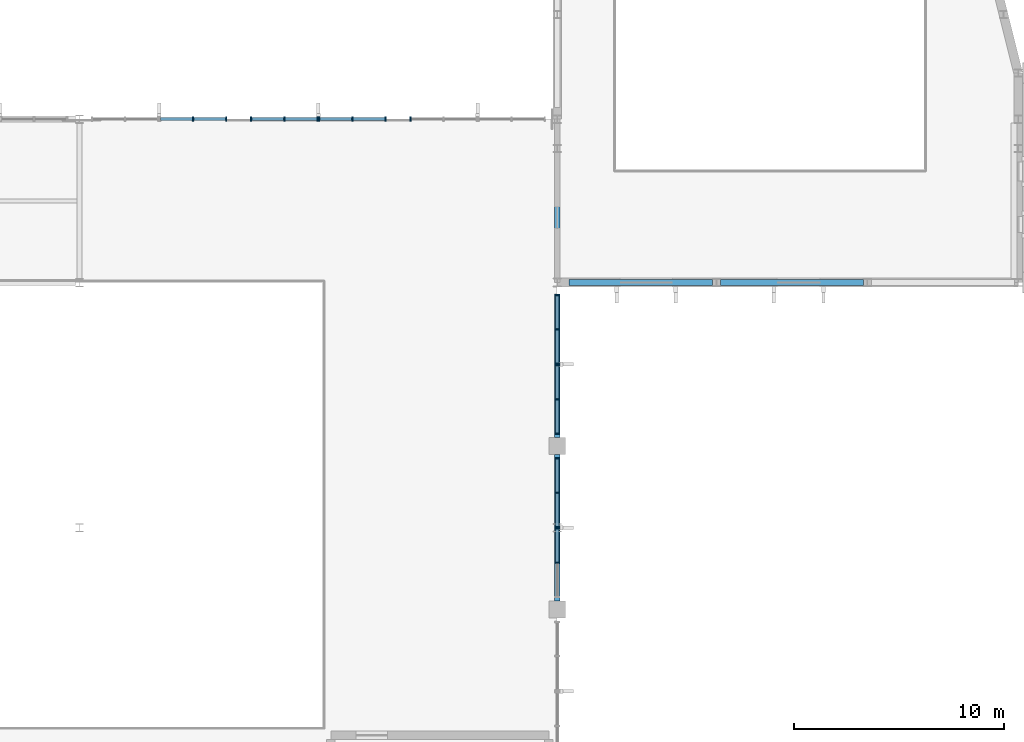
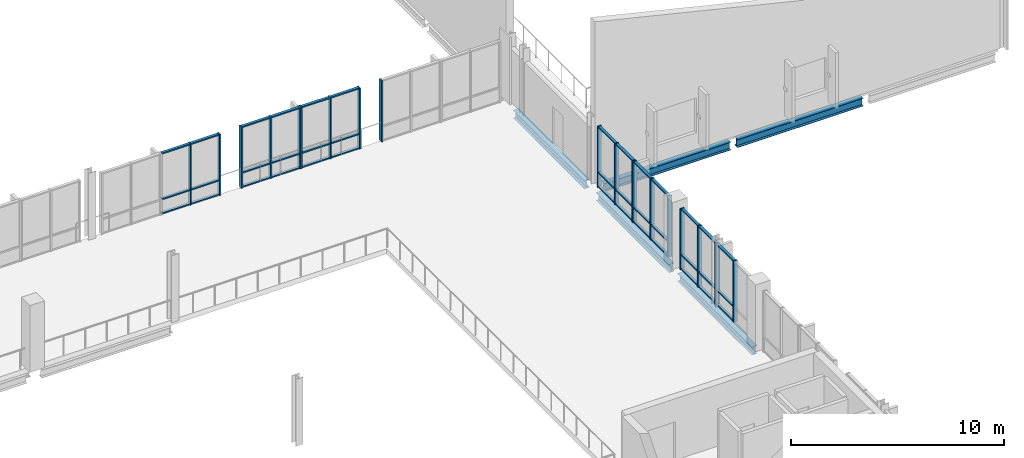
# One storey, part 27 of 64: 59 members, 5 beams, 8 elements without a shape of their own.
"""IFC4 building model written with IfcOpenShell, lengths in metres."""

from ifc_helpers import new_model, si_unit, direction, frame, origin, origin_2d, place, context, subcontext, project, spatial, rectangle, i_section, extrude, material, material_profile, profile_set, type_object, element, aggregate, save


model = new_model("IFC4")

# Units and contexts
model_context = context("Model", 3, precision=1e-05, world=origin(), true_north=direction((0.0, 1.0)))
body_context = subcontext(model_context, "Body", "Model", "MODEL_VIEW")
ifc_project = project(units=[si_unit("LENGTHUNIT", "METRE"), si_unit("AREAUNIT", "SQUARE_METRE"), si_unit("VOLUMEUNIT", "CUBIC_METRE"), si_unit("PLANEANGLEUNIT", "RADIAN"), si_unit("MASSUNIT", "GRAM", prefix="KILO")], contexts=[model_context])

# Site, building, storey
site_placement = place(None, origin())
site = spatial("IfcSite", under=ifc_project, at=site_placement, CompositionType="ELEMENT")
building_placement = place(site_placement, origin())
building = spatial("IfcBuilding", under=site, at=building_placement, Name="Vervanel Yard Central Library", CompositionType="ELEMENT")
storey_placement = place(building_placement, frame((0.0, 0.0, 8.93994140625)))
storey = spatial("IfcBuildingStorey", under=building, at=storey_placement, Name="L02", CompositionType="ELEMENT", Elevation=8.93994140625)

# Curtain wall, members
ifc_material_1 = material(Name="Thermally broken anodized aluminium 6063-T6", Category="aluminium")
curtain_wall_type_1 = type_object("IfcCurtainWallType", Name="Reading Hall Full-Height Curtain Wall", PredefinedType="NOTDEFINED", material=ifc_material_1)
curtain_wall_1_placement = place(storey_placement, origin())
curtain_wall_1 = element("IfcCurtainWall", 1, at=curtain_wall_1_placement, inside=storey, type_object=curtain_wall_type_1, Name="L02 Reading Hall Full-Height Curtain Wall CWR-L02-103", PredefinedType="NOTDEFINED")
ifc_material_profile_1 = material_profile(ifc_material_1, rectangle(XDim=0.070068359375, YDim=0.219970703125, at=origin_2d()), Name="ALU 70x220", Category="aluminium")
ifc_profile_set_1 = profile_set([ifc_material_profile_1], Name="Thermally broken anodized aluminium 6063-T6")
member_type_1 = type_object("IfcMemberType", Name="Reading Hall Deep Mullion 70x220", PredefinedType="MULLION", material=ifc_profile_set_1)
member_1_placement = place(storey_placement, frame((128.6201171875, 82.199951171875, 0.0), z_axis=(0.0, 0.0, 1.0), x_axis=(1.0, 0.0, 0.0)))
member_1 = element("IfcMember", 2, at=member_1_placement, type_object=member_type_1, Name="CWR-L02-103 Mullion 2", PredefinedType="MULLION", context=body_context, shape_type="SweptSolid", body=[
    extrude(rectangle(XDim=0.070068359375, YDim=0.219970703125, at=origin_2d()), origin(), (0.0, 0.0, 1.0), 3.510009765625),
])
member_2_placement = place(storey_placement, frame((130.205078125, 82.199951171875, 0.0), z_axis=(0.0, 0.0, 1.0), x_axis=(1.0, 0.0, 0.0)))
member_2 = element("IfcMember", 3, at=member_2_placement, type_object=member_type_1, Name="CWR-L02-103 Mullion 3", PredefinedType="MULLION", context=body_context, shape_type="SweptSolid", body=[
    extrude(rectangle(XDim=0.070068359375, YDim=0.219970703125, at=origin_2d()), origin(), (0.0, 0.0, 1.0), 3.510009765625),
])

curtain_wall_2_placement = place(storey_placement, origin())
curtain_wall_2 = element("IfcCurtainWall", 4, at=curtain_wall_2_placement, inside=storey, type_object=curtain_wall_type_1, Name="L02 Reading Hall Full-Height Curtain Wall CWR-L02-104", PredefinedType="NOTDEFINED")
member_3_placement = place(storey_placement, frame((131.39501953125, 82.199951171875, 0.0), z_axis=(0.0, 0.0, 1.0), x_axis=(1.0, 0.0, 0.0)))
member_3 = element("IfcMember", 5, at=member_3_placement, type_object=member_type_1, Name="CWR-L02-104 Mullion 1", PredefinedType="MULLION", context=body_context, shape_type="SweptSolid", body=[
    extrude(rectangle(XDim=0.070068359375, YDim=0.219970703125, at=origin_2d()), origin(), (0.0, 0.0, 1.0), 3.510009765625),
])
member_4_placement = place(storey_placement, frame((132.97998046875, 82.199951171875, 0.0), z_axis=(0.0, 0.0, 1.0), x_axis=(1.0, 0.0, 0.0)))
member_4 = element("IfcMember", 6, at=member_4_placement, type_object=member_type_1, Name="CWR-L02-104 Mullion 2", PredefinedType="MULLION", context=body_context, shape_type="SweptSolid", body=[
    extrude(rectangle(XDim=0.070068359375, YDim=0.219970703125, at=origin_2d()), origin(), (0.0, 0.0, 1.0), 3.510009765625),
])
member_5_placement = place(storey_placement, frame((134.56494140625, 82.199951171875, 0.0), z_axis=(0.0, 0.0, 1.0), x_axis=(1.0, 0.0, 0.0)))
member_5 = element("IfcMember", 7, at=member_5_placement, type_object=member_type_1, Name="CWR-L02-104 Mullion 3", PredefinedType="MULLION", context=body_context, shape_type="SweptSolid", body=[
    extrude(rectangle(XDim=0.070068359375, YDim=0.219970703125, at=origin_2d()), origin(), (0.0, 0.0, 1.0), 3.510009765625),
])

curtain_wall_3_placement = place(storey_placement, origin())
curtain_wall_3 = element("IfcCurtainWall", 8, at=curtain_wall_3_placement, inside=storey, type_object=curtain_wall_type_1, Name="L02 Reading Hall Full-Height Curtain Wall CWR-L02-105", PredefinedType="NOTDEFINED")
member_6_placement = place(storey_placement, frame((134.635009765625, 82.199951171875, 0.0), z_axis=(0.0, 0.0, 1.0), x_axis=(1.0, 0.0, 0.0)))
member_6 = element("IfcMember", 9, at=member_6_placement, type_object=member_type_1, Name="CWR-L02-105 Mullion 1", PredefinedType="MULLION", context=body_context, shape_type="SweptSolid", body=[
    extrude(rectangle(XDim=0.070068359375, YDim=0.219970703125, at=origin_2d()), origin(), (0.0, 0.0, 1.0), 3.510009765625),
])
member_7_placement = place(storey_placement, frame((136.219970703125, 82.199951171875, 0.0), z_axis=(0.0, 0.0, 1.0), x_axis=(1.0, 0.0, 0.0)))
member_7 = element("IfcMember", 10, at=member_7_placement, type_object=member_type_1, Name="CWR-L02-105 Mullion 2", PredefinedType="MULLION", context=body_context, shape_type="SweptSolid", body=[
    extrude(rectangle(XDim=0.070068359375, YDim=0.219970703125, at=origin_2d()), origin(), (0.0, 0.0, 1.0), 3.510009765625),
])
member_8_placement = place(storey_placement, frame((137.804931640625, 82.199951171875, 0.0), z_axis=(0.0, 0.0, 1.0), x_axis=(1.0, 0.0, 0.0)))
member_8 = element("IfcMember", 11, at=member_8_placement, type_object=member_type_1, Name="CWR-L02-105 Mullion 3", PredefinedType="MULLION", context=body_context, shape_type="SweptSolid", body=[
    extrude(rectangle(XDim=0.070068359375, YDim=0.219970703125, at=origin_2d()), origin(), (0.0, 0.0, 1.0), 3.510009765625),
])

# Curtain wall, member
curtain_wall_4_placement = place(storey_placement, origin())
curtain_wall_4 = element("IfcCurtainWall", 12, at=curtain_wall_4_placement, inside=storey, type_object=curtain_wall_type_1, Name="L02 Reading Hall Full-Height Curtain Wall CWR-L02-106", PredefinedType="NOTDEFINED")
member_9_placement = place(storey_placement, frame((138.9951171875, 82.199951171875, 0.0), z_axis=(0.0, 0.0, 1.0), x_axis=(1.0, 0.0, 0.0)))
member_9 = element("IfcMember", 13, at=member_9_placement, type_object=member_type_1, Name="CWR-L02-106 Mullion 1", PredefinedType="MULLION", context=body_context, shape_type="SweptSolid", body=[
    extrude(rectangle(XDim=0.070068359375, YDim=0.219970703125, at=origin_2d()), origin(), (0.0, 0.0, 1.0), 3.510009765625),
])
aggregate(curtain_wall_4, [member_9])

# Curtain wall, members
curtain_wall_type_2 = type_object("IfcCurtainWallType", Name="Prow Cantilever Glazed Curtain Wall", PredefinedType="NOTDEFINED", material=ifc_material_1)
curtain_wall_5_placement = place(storey_placement, origin())
curtain_wall_5 = element("IfcCurtainWall", 14, at=curtain_wall_5_placement, inside=storey, type_object=curtain_wall_type_2, Name="L02 Prow Cantilever Glazed Curtain Wall CWR-L02-136", PredefinedType="NOTDEFINED")
member_10_placement = place(storey_placement, frame((146.0, 61.030029296875, 0.0), z_axis=(0.0, 0.0, 1.0), x_axis=(0.0, 1.0, 0.0)))
member_10 = element("IfcMember", 15, at=member_10_placement, type_object=member_type_1, Name="CWR-L02-136 Mullion 2", PredefinedType="MULLION", context=body_context, shape_type="SweptSolid", body=[
    extrude(rectangle(XDim=0.070068359375, YDim=0.219970703125, at=origin_2d()), origin(), (0.0, 0.0, 1.0), 3.510009765625),
])
member_11_placement = place(storey_placement, frame((146.0, 62.6650390625, 0.0), z_axis=(0.0, 0.0, 1.0), x_axis=(0.0, 1.0, 0.0)))
member_11 = element("IfcMember", 16, at=member_11_placement, type_object=member_type_1, Name="CWR-L02-136 Mullion 3", PredefinedType="MULLION", context=body_context, shape_type="SweptSolid", body=[
    extrude(rectangle(XDim=0.070068359375, YDim=0.219970703125, at=origin_2d()), origin(), (0.0, 0.0, 1.0), 3.510009765625),
])

curtain_wall_6_placement = place(storey_placement, origin())
curtain_wall_6 = element("IfcCurtainWall", 17, at=curtain_wall_6_placement, inside=storey, type_object=curtain_wall_type_2, Name="L02 Prow Cantilever Glazed Curtain Wall CWR-L02-137", PredefinedType="NOTDEFINED")
member_12_placement = place(storey_placement, frame((146.0, 62.735107421875, 0.0), z_axis=(0.0, 0.0, 1.0), x_axis=(0.0, 1.0, 0.0)))
member_12 = element("IfcMember", 18, at=member_12_placement, type_object=member_type_1, Name="CWR-L02-137 Mullion 1", PredefinedType="MULLION", context=body_context, shape_type="SweptSolid", body=[
    extrude(rectangle(XDim=0.070068359375, YDim=0.219970703125, at=origin_2d()), origin(), (0.0, 0.0, 1.0), 3.510009765625),
])
member_13_placement = place(storey_placement, frame((146.0, 64.3701171875, 0.0), z_axis=(0.0, 0.0, 1.0), x_axis=(0.0, 1.0, 0.0)))
member_13 = element("IfcMember", 19, at=member_13_placement, type_object=member_type_1, Name="CWR-L02-137 Mullion 2", PredefinedType="MULLION", context=body_context, shape_type="SweptSolid", body=[
    extrude(rectangle(XDim=0.070068359375, YDim=0.219970703125, at=origin_2d()), origin(), (0.0, 0.0, 1.0), 3.510009765625),
])
member_14_placement = place(storey_placement, frame((146.0, 66.0048828125, 0.0), z_axis=(0.0, 0.0, 1.0), x_axis=(0.0, 1.0, 0.0)))
member_14 = element("IfcMember", 20, at=member_14_placement, type_object=member_type_1, Name="CWR-L02-137 Mullion 3", PredefinedType="MULLION", context=body_context, shape_type="SweptSolid", body=[
    extrude(rectangle(XDim=0.070068359375, YDim=0.219970703125, at=origin_2d()), origin(), (0.0, 0.0, 1.0), 3.510009765625),
])

curtain_wall_7_placement = place(storey_placement, origin())
curtain_wall_7 = element("IfcCurtainWall", 21, at=curtain_wall_7_placement, inside=storey, type_object=curtain_wall_type_2, Name="L02 Prow Cantilever Glazed Curtain Wall CWR-L02-138", PredefinedType="NOTDEFINED")
member_15_placement = place(storey_placement, frame((146.0, 67.195068359375, 0.0), z_axis=(0.0, 0.0, 1.0), x_axis=(0.0, 1.0, 0.0)))
member_15 = element("IfcMember", 22, at=member_15_placement, type_object=member_type_1, Name="CWR-L02-138 Mullion 1", PredefinedType="MULLION", context=body_context, shape_type="SweptSolid", body=[
    extrude(rectangle(XDim=0.070068359375, YDim=0.219970703125, at=origin_2d()), origin(), (0.0, 0.0, 1.0), 3.510009765625),
])
member_16_placement = place(storey_placement, frame((146.0, 68.830078125, 0.0), z_axis=(0.0, 0.0, 1.0), x_axis=(0.0, 1.0, 0.0)))
member_16 = element("IfcMember", 23, at=member_16_placement, type_object=member_type_1, Name="CWR-L02-138 Mullion 2", PredefinedType="MULLION", context=body_context, shape_type="SweptSolid", body=[
    extrude(rectangle(XDim=0.070068359375, YDim=0.219970703125, at=origin_2d()), origin(), (0.0, 0.0, 1.0), 3.510009765625),
])
member_17_placement = place(storey_placement, frame((146.0, 70.465087890625, 0.0), z_axis=(0.0, 0.0, 1.0), x_axis=(0.0, 1.0, 0.0)))
member_17 = element("IfcMember", 24, at=member_17_placement, type_object=member_type_1, Name="CWR-L02-138 Mullion 3", PredefinedType="MULLION", context=body_context, shape_type="SweptSolid", body=[
    extrude(rectangle(XDim=0.070068359375, YDim=0.219970703125, at=origin_2d()), origin(), (0.0, 0.0, 1.0), 3.510009765625),
])

curtain_wall_8_placement = place(storey_placement, origin())
curtain_wall_8 = element("IfcCurtainWall", 25, at=curtain_wall_8_placement, inside=storey, type_object=curtain_wall_type_2, Name="L02 Prow Cantilever Glazed Curtain Wall CWR-L02-139", PredefinedType="NOTDEFINED")
member_18_placement = place(storey_placement, frame((146.0, 70.534912109375, 0.0), z_axis=(0.0, 0.0, 1.0), x_axis=(0.0, 1.0, 0.0)))
member_18 = element("IfcMember", 26, at=member_18_placement, type_object=member_type_1, Name="CWR-L02-139 Mullion 1", PredefinedType="MULLION", context=body_context, shape_type="SweptSolid", body=[
    extrude(rectangle(XDim=0.070068359375, YDim=0.219970703125, at=origin_2d()), origin(), (0.0, 0.0, 1.0), 3.510009765625),
])
member_19_placement = place(storey_placement, frame((146.0, 72.169921875, 0.0), z_axis=(0.0, 0.0, 1.0), x_axis=(0.0, 1.0, 0.0)))
member_19 = element("IfcMember", 27, at=member_19_placement, type_object=member_type_1, Name="CWR-L02-139 Mullion 2", PredefinedType="MULLION", context=body_context, shape_type="SweptSolid", body=[
    extrude(rectangle(XDim=0.070068359375, YDim=0.219970703125, at=origin_2d()), origin(), (0.0, 0.0, 1.0), 3.510009765625),
])
member_20_placement = place(storey_placement, frame((146.0, 73.804931640625, 0.0), z_axis=(0.0, 0.0, 1.0), x_axis=(0.0, 1.0, 0.0)))
member_20 = element("IfcMember", 28, at=member_20_placement, type_object=member_type_1, Name="CWR-L02-139 Mullion 3", PredefinedType="MULLION", context=body_context, shape_type="SweptSolid", body=[
    extrude(rectangle(XDim=0.070068359375, YDim=0.219970703125, at=origin_2d()), origin(), (0.0, 0.0, 1.0), 3.510009765625),
])

# Member
ifc_material_profile_2 = material_profile(ifc_material_1, rectangle(XDim=0.070068359375, YDim=0.14990234375, at=origin_2d()), Name="ALU 70x150", Category="aluminium")
ifc_profile_set_2 = profile_set([ifc_material_profile_2], Name="Thermally broken anodized aluminium 6063-T6")
member_type_2 = type_object("IfcMemberType", Name="Reading Hall Deep Transom 70x150", PredefinedType="NOTDEFINED", material=ifc_profile_set_2)
member_21_placement = place(storey_placement, frame((127.070068359375, 82.199951171875, 0.03515625), z_axis=(1.0, 0.0, 0.0), x_axis=(0.0, 0.0, 1.0)))
member_21 = element("IfcMember", 29, at=member_21_placement, type_object=member_type_2, Name="CWR-L02-103 Transom B1-T1", ObjectType="TRANSOM", PredefinedType="USERDEFINED", context=body_context, shape_type="SweptSolid", body=[
    extrude(rectangle(XDim=0.070068359375, YDim=0.14990234375, at=origin_2d()), origin(), (0.0, 0.0, 1.0), 1.514892578125),
])

member_22_placement = place(storey_placement, frame((127.070068359375, 82.199951171875, 0.85009765625), z_axis=(1.0, 0.0, 0.0), x_axis=(0.0, 0.0, 1.0)))
member_22 = element("IfcMember", 30, at=member_22_placement, type_object=member_type_2, Name="CWR-L02-103 Transom B1-T2", ObjectType="TRANSOM", PredefinedType="USERDEFINED", context=body_context, shape_type="SweptSolid", body=[
    extrude(rectangle(XDim=0.070068359375, YDim=0.14990234375, at=origin_2d()), origin(), (0.0, 0.0, 1.0), 1.514892578125),
])

member_23_placement = place(storey_placement, frame((127.070068359375, 82.199951171875, 3.47509765625), z_axis=(1.0, 0.0, 0.0), x_axis=(0.0, 0.0, 1.0)))
member_23 = element("IfcMember", 31, at=member_23_placement, type_object=member_type_2, Name="CWR-L02-103 Transom B1-T3", ObjectType="TRANSOM", PredefinedType="USERDEFINED", context=body_context, shape_type="SweptSolid", body=[
    extrude(rectangle(XDim=0.070068359375, YDim=0.14990234375, at=origin_2d()), origin(), (0.0, 0.0, 1.0), 1.514892578125),
])

member_24_placement = place(storey_placement, frame((128.655029296875, 82.199951171875, 0.03515625), z_axis=(1.0, 0.0, 0.0), x_axis=(0.0, 0.0, 1.0)))
member_24 = element("IfcMember", 32, at=member_24_placement, type_object=member_type_2, Name="CWR-L02-103 Transom B2-T1", ObjectType="TRANSOM", PredefinedType="USERDEFINED", context=body_context, shape_type="SweptSolid", body=[
    extrude(rectangle(XDim=0.070068359375, YDim=0.14990234375, at=origin_2d()), origin(), (0.0, 0.0, 1.0), 1.514892578125),
])

member_25_placement = place(storey_placement, frame((128.655029296875, 82.199951171875, 0.85009765625), z_axis=(1.0, 0.0, 0.0), x_axis=(0.0, 0.0, 1.0)))
member_25 = element("IfcMember", 33, at=member_25_placement, type_object=member_type_2, Name="CWR-L02-103 Transom B2-T2", ObjectType="TRANSOM", PredefinedType="USERDEFINED", context=body_context, shape_type="SweptSolid", body=[
    extrude(rectangle(XDim=0.070068359375, YDim=0.14990234375, at=origin_2d()), origin(), (0.0, 0.0, 1.0), 1.514892578125),
])

member_26_placement = place(storey_placement, frame((128.655029296875, 82.199951171875, 3.47509765625), z_axis=(1.0, 0.0, 0.0), x_axis=(0.0, 0.0, 1.0)))
member_26 = element("IfcMember", 34, at=member_26_placement, type_object=member_type_2, Name="CWR-L02-103 Transom B2-T3", ObjectType="TRANSOM", PredefinedType="USERDEFINED", context=body_context, shape_type="SweptSolid", body=[
    extrude(rectangle(XDim=0.070068359375, YDim=0.14990234375, at=origin_2d()), origin(), (0.0, 0.0, 1.0), 1.514892578125),
])

aggregate(curtain_wall_1, [member_1, member_2, member_21, member_22, member_23, member_24, member_25, member_26])

member_27_placement = place(storey_placement, frame((131.429931640625, 82.199951171875, 0.03515625), z_axis=(1.0, 0.0, 0.0), x_axis=(0.0, 0.0, 1.0)))
member_27 = element("IfcMember", 35, at=member_27_placement, type_object=member_type_2, Name="CWR-L02-104 Transom B1-T1", ObjectType="TRANSOM", PredefinedType="USERDEFINED", context=body_context, shape_type="SweptSolid", body=[
    extrude(rectangle(XDim=0.070068359375, YDim=0.14990234375, at=origin_2d()), origin(), (0.0, 0.0, 1.0), 1.51513671875),
])

member_28_placement = place(storey_placement, frame((131.429931640625, 82.199951171875, 0.85009765625), z_axis=(1.0, 0.0, 0.0), x_axis=(0.0, 0.0, 1.0)))
member_28 = element("IfcMember", 36, at=member_28_placement, type_object=member_type_2, Name="CWR-L02-104 Transom B1-T2", ObjectType="TRANSOM", PredefinedType="USERDEFINED", context=body_context, shape_type="SweptSolid", body=[
    extrude(rectangle(XDim=0.070068359375, YDim=0.14990234375, at=origin_2d()), origin(), (0.0, 0.0, 1.0), 1.51513671875),
])

member_29_placement = place(storey_placement, frame((131.429931640625, 82.199951171875, 3.47509765625), z_axis=(1.0, 0.0, 0.0), x_axis=(0.0, 0.0, 1.0)))
member_29 = element("IfcMember", 37, at=member_29_placement, type_object=member_type_2, Name="CWR-L02-104 Transom B1-T3", ObjectType="TRANSOM", PredefinedType="USERDEFINED", context=body_context, shape_type="SweptSolid", body=[
    extrude(rectangle(XDim=0.070068359375, YDim=0.14990234375, at=origin_2d()), origin(), (0.0, 0.0, 1.0), 1.51513671875),
])

member_30_placement = place(storey_placement, frame((133.014892578125, 82.199951171875, 0.03515625), z_axis=(1.0, 0.0, 0.0), x_axis=(0.0, 0.0, 1.0)))
member_30 = element("IfcMember", 38, at=member_30_placement, type_object=member_type_2, Name="CWR-L02-104 Transom B2-T1", ObjectType="TRANSOM", PredefinedType="USERDEFINED", context=body_context, shape_type="SweptSolid", body=[
    extrude(rectangle(XDim=0.070068359375, YDim=0.14990234375, at=origin_2d()), origin(), (0.0, 0.0, 1.0), 1.51513671875),
])

member_31_placement = place(storey_placement, frame((133.014892578125, 82.199951171875, 0.85009765625), z_axis=(1.0, 0.0, 0.0), x_axis=(0.0, 0.0, 1.0)))
member_31 = element("IfcMember", 39, at=member_31_placement, type_object=member_type_2, Name="CWR-L02-104 Transom B2-T2", ObjectType="TRANSOM", PredefinedType="USERDEFINED", context=body_context, shape_type="SweptSolid", body=[
    extrude(rectangle(XDim=0.070068359375, YDim=0.14990234375, at=origin_2d()), origin(), (0.0, 0.0, 1.0), 1.51513671875),
])

member_32_placement = place(storey_placement, frame((133.014892578125, 82.199951171875, 3.47509765625), z_axis=(1.0, 0.0, 0.0), x_axis=(0.0, 0.0, 1.0)))
member_32 = element("IfcMember", 40, at=member_32_placement, type_object=member_type_2, Name="CWR-L02-104 Transom B2-T3", ObjectType="TRANSOM", PredefinedType="USERDEFINED", context=body_context, shape_type="SweptSolid", body=[
    extrude(rectangle(XDim=0.070068359375, YDim=0.14990234375, at=origin_2d()), origin(), (0.0, 0.0, 1.0), 1.51513671875),
])

aggregate(curtain_wall_2, [member_3, member_4, member_5, member_27, member_28, member_29, member_30, member_31, member_32])

member_33_placement = place(storey_placement, frame((134.669921875, 82.199951171875, 0.03515625), z_axis=(1.0, 0.0, 0.0), x_axis=(0.0, 0.0, 1.0)))
member_33 = element("IfcMember", 41, at=member_33_placement, type_object=member_type_2, Name="CWR-L02-105 Transom B1-T1", ObjectType="TRANSOM", PredefinedType="USERDEFINED", context=body_context, shape_type="SweptSolid", body=[
    extrude(rectangle(XDim=0.070068359375, YDim=0.14990234375, at=origin_2d()), origin(), (0.0, 0.0, 1.0), 1.51513671875),
])

member_34_placement = place(storey_placement, frame((134.669921875, 82.199951171875, 0.85009765625), z_axis=(1.0, 0.0, 0.0), x_axis=(0.0, 0.0, 1.0)))
member_34 = element("IfcMember", 42, at=member_34_placement, type_object=member_type_2, Name="CWR-L02-105 Transom B1-T2", ObjectType="TRANSOM", PredefinedType="USERDEFINED", context=body_context, shape_type="SweptSolid", body=[
    extrude(rectangle(XDim=0.070068359375, YDim=0.14990234375, at=origin_2d()), origin(), (0.0, 0.0, 1.0), 1.51513671875),
])

member_35_placement = place(storey_placement, frame((134.669921875, 82.199951171875, 3.47509765625), z_axis=(1.0, 0.0, 0.0), x_axis=(0.0, 0.0, 1.0)))
member_35 = element("IfcMember", 43, at=member_35_placement, type_object=member_type_2, Name="CWR-L02-105 Transom B1-T3", ObjectType="TRANSOM", PredefinedType="USERDEFINED", context=body_context, shape_type="SweptSolid", body=[
    extrude(rectangle(XDim=0.070068359375, YDim=0.14990234375, at=origin_2d()), origin(), (0.0, 0.0, 1.0), 1.51513671875),
])

member_36_placement = place(storey_placement, frame((136.2548828125, 82.199951171875, 0.03515625), z_axis=(1.0, 0.0, 0.0), x_axis=(0.0, 0.0, 1.0)))
member_36 = element("IfcMember", 44, at=member_36_placement, type_object=member_type_2, Name="CWR-L02-105 Transom B2-T1", ObjectType="TRANSOM", PredefinedType="USERDEFINED", context=body_context, shape_type="SweptSolid", body=[
    extrude(rectangle(XDim=0.070068359375, YDim=0.14990234375, at=origin_2d()), origin(), (0.0, 0.0, 1.0), 1.51513671875),
])

member_37_placement = place(storey_placement, frame((136.2548828125, 82.199951171875, 0.85009765625), z_axis=(1.0, 0.0, 0.0), x_axis=(0.0, 0.0, 1.0)))
member_37 = element("IfcMember", 45, at=member_37_placement, type_object=member_type_2, Name="CWR-L02-105 Transom B2-T2", ObjectType="TRANSOM", PredefinedType="USERDEFINED", context=body_context, shape_type="SweptSolid", body=[
    extrude(rectangle(XDim=0.070068359375, YDim=0.14990234375, at=origin_2d()), origin(), (0.0, 0.0, 1.0), 1.51513671875),
])

member_38_placement = place(storey_placement, frame((136.2548828125, 82.199951171875, 3.47509765625), z_axis=(1.0, 0.0, 0.0), x_axis=(0.0, 0.0, 1.0)))
member_38 = element("IfcMember", 46, at=member_38_placement, type_object=member_type_2, Name="CWR-L02-105 Transom B2-T3", ObjectType="TRANSOM", PredefinedType="USERDEFINED", context=body_context, shape_type="SweptSolid", body=[
    extrude(rectangle(XDim=0.070068359375, YDim=0.14990234375, at=origin_2d()), origin(), (0.0, 0.0, 1.0), 1.51513671875),
])

aggregate(curtain_wall_3, [member_6, member_7, member_8, member_33, member_34, member_35, member_36, member_37, member_38])

member_39_placement = place(storey_placement, frame((146.0, 61.06494140625, 0.03515625), z_axis=(0.0, 1.0, 0.0), x_axis=(0.0, 0.0, 1.0)))
member_39 = element("IfcMember", 47, at=member_39_placement, type_object=member_type_2, Name="CWR-L02-136 Transom B2-T1", ObjectType="TRANSOM", PredefinedType="USERDEFINED", context=body_context, shape_type="SweptSolid", body=[
    extrude(rectangle(XDim=0.070068359375, YDim=0.14990234375, at=origin_2d()), origin(), (0.0, 0.0, 1.0), 1.56494140625),
])

member_40_placement = place(storey_placement, frame((146.0, 61.06494140625, 0.85009765625), z_axis=(0.0, 1.0, 0.0), x_axis=(0.0, 0.0, 1.0)))
member_40 = element("IfcMember", 48, at=member_40_placement, type_object=member_type_2, Name="CWR-L02-136 Transom B2-T2", ObjectType="TRANSOM", PredefinedType="USERDEFINED", context=body_context, shape_type="SweptSolid", body=[
    extrude(rectangle(XDim=0.070068359375, YDim=0.14990234375, at=origin_2d()), origin(), (0.0, 0.0, 1.0), 1.56494140625),
])

member_41_placement = place(storey_placement, frame((146.0, 61.06494140625, 3.47509765625), z_axis=(0.0, 1.0, 0.0), x_axis=(0.0, 0.0, 1.0)))
member_41 = element("IfcMember", 49, at=member_41_placement, type_object=member_type_2, Name="CWR-L02-136 Transom B2-T3", ObjectType="TRANSOM", PredefinedType="USERDEFINED", context=body_context, shape_type="SweptSolid", body=[
    extrude(rectangle(XDim=0.070068359375, YDim=0.14990234375, at=origin_2d()), origin(), (0.0, 0.0, 1.0), 1.56494140625),
])

aggregate(curtain_wall_5, [member_10, member_11, member_39, member_40, member_41])

member_42_placement = place(storey_placement, frame((146.0, 62.77001953125, 0.03515625), z_axis=(0.0, 1.0, 0.0), x_axis=(0.0, 0.0, 1.0)))
member_42 = element("IfcMember", 50, at=member_42_placement, type_object=member_type_2, Name="CWR-L02-137 Transom B1-T1", ObjectType="TRANSOM", PredefinedType="USERDEFINED", context=body_context, shape_type="SweptSolid", body=[
    extrude(rectangle(XDim=0.070068359375, YDim=0.14990234375, at=origin_2d()), origin(), (0.0, 0.0, 1.0), 1.56494140625),
])

member_43_placement = place(storey_placement, frame((146.0, 62.77001953125, 0.85009765625), z_axis=(0.0, 1.0, 0.0), x_axis=(0.0, 0.0, 1.0)))
member_43 = element("IfcMember", 51, at=member_43_placement, type_object=member_type_2, Name="CWR-L02-137 Transom B1-T2", ObjectType="TRANSOM", PredefinedType="USERDEFINED", context=body_context, shape_type="SweptSolid", body=[
    extrude(rectangle(XDim=0.070068359375, YDim=0.14990234375, at=origin_2d()), origin(), (0.0, 0.0, 1.0), 1.56494140625),
])

member_44_placement = place(storey_placement, frame((146.0, 62.77001953125, 3.47509765625), z_axis=(0.0, 1.0, 0.0), x_axis=(0.0, 0.0, 1.0)))
member_44 = element("IfcMember", 52, at=member_44_placement, type_object=member_type_2, Name="CWR-L02-137 Transom B1-T3", ObjectType="TRANSOM", PredefinedType="USERDEFINED", context=body_context, shape_type="SweptSolid", body=[
    extrude(rectangle(XDim=0.070068359375, YDim=0.14990234375, at=origin_2d()), origin(), (0.0, 0.0, 1.0), 1.56494140625),
])

member_45_placement = place(storey_placement, frame((146.0, 64.405029296875, 0.03515625), z_axis=(0.0, 1.0, 0.0), x_axis=(0.0, 0.0, 1.0)))
member_45 = element("IfcMember", 53, at=member_45_placement, type_object=member_type_2, Name="CWR-L02-137 Transom B2-T1", ObjectType="TRANSOM", PredefinedType="USERDEFINED", context=body_context, shape_type="SweptSolid", body=[
    extrude(rectangle(XDim=0.070068359375, YDim=0.14990234375, at=origin_2d()), origin(), (0.0, 0.0, 1.0), 1.56494140625),
])

member_46_placement = place(storey_placement, frame((146.0, 64.405029296875, 0.85009765625), z_axis=(0.0, 1.0, 0.0), x_axis=(0.0, 0.0, 1.0)))
member_46 = element("IfcMember", 54, at=member_46_placement, type_object=member_type_2, Name="CWR-L02-137 Transom B2-T2", ObjectType="TRANSOM", PredefinedType="USERDEFINED", context=body_context, shape_type="SweptSolid", body=[
    extrude(rectangle(XDim=0.070068359375, YDim=0.14990234375, at=origin_2d()), origin(), (0.0, 0.0, 1.0), 1.56494140625),
])

member_47_placement = place(storey_placement, frame((146.0, 64.405029296875, 3.47509765625), z_axis=(0.0, 1.0, 0.0), x_axis=(0.0, 0.0, 1.0)))
member_47 = element("IfcMember", 55, at=member_47_placement, type_object=member_type_2, Name="CWR-L02-137 Transom B2-T3", ObjectType="TRANSOM", PredefinedType="USERDEFINED", context=body_context, shape_type="SweptSolid", body=[
    extrude(rectangle(XDim=0.070068359375, YDim=0.14990234375, at=origin_2d()), origin(), (0.0, 0.0, 1.0), 1.56494140625),
])

aggregate(curtain_wall_6, [member_12, member_13, member_14, member_42, member_43, member_44, member_45, member_46, member_47])

member_48_placement = place(storey_placement, frame((146.0, 67.22998046875, 0.03515625), z_axis=(0.0, 1.0, 0.0), x_axis=(0.0, 0.0, 1.0)))
member_48 = element("IfcMember", 56, at=member_48_placement, type_object=member_type_2, Name="CWR-L02-138 Transom B1-T1", ObjectType="TRANSOM", PredefinedType="USERDEFINED", context=body_context, shape_type="SweptSolid", body=[
    extrude(rectangle(XDim=0.070068359375, YDim=0.14990234375, at=origin_2d()), origin(), (0.0, 0.0, 1.0), 1.56494140625),
])

member_49_placement = place(storey_placement, frame((146.0, 67.22998046875, 0.85009765625), z_axis=(0.0, 1.0, 0.0), x_axis=(0.0, 0.0, 1.0)))
member_49 = element("IfcMember", 57, at=member_49_placement, type_object=member_type_2, Name="CWR-L02-138 Transom B1-T2", ObjectType="TRANSOM", PredefinedType="USERDEFINED", context=body_context, shape_type="SweptSolid", body=[
    extrude(rectangle(XDim=0.070068359375, YDim=0.14990234375, at=origin_2d()), origin(), (0.0, 0.0, 1.0), 1.56494140625),
])

member_50_placement = place(storey_placement, frame((146.0, 67.22998046875, 3.47509765625), z_axis=(0.0, 1.0, 0.0), x_axis=(0.0, 0.0, 1.0)))
member_50 = element("IfcMember", 58, at=member_50_placement, type_object=member_type_2, Name="CWR-L02-138 Transom B1-T3", ObjectType="TRANSOM", PredefinedType="USERDEFINED", context=body_context, shape_type="SweptSolid", body=[
    extrude(rectangle(XDim=0.070068359375, YDim=0.14990234375, at=origin_2d()), origin(), (0.0, 0.0, 1.0), 1.56494140625),
])

member_51_placement = place(storey_placement, frame((146.0, 68.864990234375, 0.03515625), z_axis=(0.0, 1.0, 0.0), x_axis=(0.0, 0.0, 1.0)))
member_51 = element("IfcMember", 59, at=member_51_placement, type_object=member_type_2, Name="CWR-L02-138 Transom B2-T1", ObjectType="TRANSOM", PredefinedType="USERDEFINED", context=body_context, shape_type="SweptSolid", body=[
    extrude(rectangle(XDim=0.070068359375, YDim=0.14990234375, at=origin_2d()), origin(), (0.0, 0.0, 1.0), 1.56494140625),
])

member_52_placement = place(storey_placement, frame((146.0, 68.864990234375, 0.85009765625), z_axis=(0.0, 1.0, 0.0), x_axis=(0.0, 0.0, 1.0)))
member_52 = element("IfcMember", 60, at=member_52_placement, type_object=member_type_2, Name="CWR-L02-138 Transom B2-T2", ObjectType="TRANSOM", PredefinedType="USERDEFINED", context=body_context, shape_type="SweptSolid", body=[
    extrude(rectangle(XDim=0.070068359375, YDim=0.14990234375, at=origin_2d()), origin(), (0.0, 0.0, 1.0), 1.56494140625),
])

member_53_placement = place(storey_placement, frame((146.0, 68.864990234375, 3.47509765625), z_axis=(0.0, 1.0, 0.0), x_axis=(0.0, 0.0, 1.0)))
member_53 = element("IfcMember", 61, at=member_53_placement, type_object=member_type_2, Name="CWR-L02-138 Transom B2-T3", ObjectType="TRANSOM", PredefinedType="USERDEFINED", context=body_context, shape_type="SweptSolid", body=[
    extrude(rectangle(XDim=0.070068359375, YDim=0.14990234375, at=origin_2d()), origin(), (0.0, 0.0, 1.0), 1.56494140625),
])

aggregate(curtain_wall_7, [member_15, member_16, member_17, member_48, member_49, member_50, member_51, member_52, member_53])

member_54_placement = place(storey_placement, frame((146.0, 70.570068359375, 0.03515625), z_axis=(0.0, 1.0, 0.0), x_axis=(0.0, 0.0, 1.0)))
member_54 = element("IfcMember", 62, at=member_54_placement, type_object=member_type_2, Name="CWR-L02-139 Transom B1-T1", ObjectType="TRANSOM", PredefinedType="USERDEFINED", context=body_context, shape_type="SweptSolid", body=[
    extrude(rectangle(XDim=0.070068359375, YDim=0.14990234375, at=origin_2d()), origin(), (0.0, 0.0, 1.0), 1.56494140625),
])

member_55_placement = place(storey_placement, frame((146.0, 70.570068359375, 0.85009765625), z_axis=(0.0, 1.0, 0.0), x_axis=(0.0, 0.0, 1.0)))
member_55 = element("IfcMember", 63, at=member_55_placement, type_object=member_type_2, Name="CWR-L02-139 Transom B1-T2", ObjectType="TRANSOM", PredefinedType="USERDEFINED", context=body_context, shape_type="SweptSolid", body=[
    extrude(rectangle(XDim=0.070068359375, YDim=0.14990234375, at=origin_2d()), origin(), (0.0, 0.0, 1.0), 1.56494140625),
])

member_56_placement = place(storey_placement, frame((146.0, 70.570068359375, 3.47509765625), z_axis=(0.0, 1.0, 0.0), x_axis=(0.0, 0.0, 1.0)))
member_56 = element("IfcMember", 64, at=member_56_placement, type_object=member_type_2, Name="CWR-L02-139 Transom B1-T3", ObjectType="TRANSOM", PredefinedType="USERDEFINED", context=body_context, shape_type="SweptSolid", body=[
    extrude(rectangle(XDim=0.070068359375, YDim=0.14990234375, at=origin_2d()), origin(), (0.0, 0.0, 1.0), 1.56494140625),
])

member_57_placement = place(storey_placement, frame((146.0, 72.205078125, 0.03515625), z_axis=(0.0, 1.0, 0.0), x_axis=(0.0, 0.0, 1.0)))
member_57 = element("IfcMember", 65, at=member_57_placement, type_object=member_type_2, Name="CWR-L02-139 Transom B2-T1", ObjectType="TRANSOM", PredefinedType="USERDEFINED", context=body_context, shape_type="SweptSolid", body=[
    extrude(rectangle(XDim=0.070068359375, YDim=0.14990234375, at=origin_2d()), origin(), (0.0, 0.0, 1.0), 1.56494140625),
])

member_58_placement = place(storey_placement, frame((146.0, 72.205078125, 0.85009765625), z_axis=(0.0, 1.0, 0.0), x_axis=(0.0, 0.0, 1.0)))
member_58 = element("IfcMember", 66, at=member_58_placement, type_object=member_type_2, Name="CWR-L02-139 Transom B2-T2", ObjectType="TRANSOM", PredefinedType="USERDEFINED", context=body_context, shape_type="SweptSolid", body=[
    extrude(rectangle(XDim=0.070068359375, YDim=0.14990234375, at=origin_2d()), origin(), (0.0, 0.0, 1.0), 1.56494140625),
])

member_59_placement = place(storey_placement, frame((146.0, 72.205078125, 3.47509765625), z_axis=(0.0, 1.0, 0.0), x_axis=(0.0, 0.0, 1.0)))
member_59 = element("IfcMember", 67, at=member_59_placement, type_object=member_type_2, Name="CWR-L02-139 Transom B2-T3", ObjectType="TRANSOM", PredefinedType="USERDEFINED", context=body_context, shape_type="SweptSolid", body=[
    extrude(rectangle(XDim=0.070068359375, YDim=0.14990234375, at=origin_2d()), origin(), (0.0, 0.0, 1.0), 1.56494140625),
])

aggregate(curtain_wall_8, [member_18, member_19, member_20, member_54, member_55, member_56, member_57, member_58, member_59])

# Beams
ifc_material_2 = material(Name="Steel ASTM A992 Grade 50", Category="steel")
ifc_material_profile_3 = material_profile(ifc_material_2, i_section(OverallWidth=0.281982421875, OverallDepth=0.46728515625, WebThickness=0.01220703125, FlangeThickness=0.01953125, at=origin_2d()), Name="W18X86", Category="steel")
ifc_profile_set_3 = profile_set([ifc_material_profile_3], Name="Steel ASTM A992 Grade 50")
beam_type = type_object("IfcBeamType", Name="Steel Spandrel Beam W18X86", PredefinedType="SPANDREL", material=ifc_profile_set_3)
beam_1_placement = place(storey_placement, frame((146.550048828125, 74.39990234375, -0.528564453125), z_axis=(1.0, 0.0, 0.0), x_axis=(0.0, 1.0, 0.0)))
element("IfcBeam", 68, at=beam_1_placement, inside=storey, type_object=beam_type, Name="L02 Girder SP-02 Y=74.4 X=146.0-153.6", PredefinedType="SPANDREL", context=body_context, shape_type="SweptSolid", body=[
    extrude(i_section(OverallWidth=0.281982421875, OverallDepth=0.46728515625, WebThickness=0.01220703125, FlangeThickness=0.01953125, at=origin_2d()), origin(), (0.0, 0.0, 1.0), 6.86328125),
])
beam_2_placement = place(storey_placement, frame((153.78662109375, 74.39990234375, -0.528564453125), z_axis=(1.0, 0.0, 0.0), x_axis=(0.0, 1.0, 0.0)))
element("IfcBeam", 69, at=beam_2_placement, inside=storey, type_object=beam_type, Name="L02 Girder SP-02 Y=74.4 X=153.6-160.8", PredefinedType="SPANDREL", context=body_context, shape_type="SweptSolid", body=[
    extrude(i_section(OverallWidth=0.281982421875, OverallDepth=0.46728515625, WebThickness=0.01220703125, FlangeThickness=0.01953125, at=origin_2d()), origin(), (0.0, 0.0, 1.0), 6.82666015625),
])
beam_3_placement = place(storey_placement, frame((146.0, 59.199951171875, -0.53369140625), z_axis=(0.0, 1.0, 0.0), x_axis=(-1.0, 0.0, 0.0)))
element("IfcBeam", 70, at=beam_3_placement, inside=storey, type_object=beam_type, Name="L02 Girder SP-02 X=146.0 Y=58.8-66.6", PredefinedType="SPANDREL", context=body_context, shape_type="SweptSolid", body=[
    extrude(i_section(OverallWidth=0.281982421875, OverallDepth=0.46728515625, WebThickness=0.01220703125, FlangeThickness=0.01953125, at=origin_2d()), origin(), (0.0, 0.0, 1.0), 7.0),
])
beam_4_placement = place(storey_placement, frame((146.0, 67.0, -0.53369140625), z_axis=(0.0, 1.0, 0.0), x_axis=(-1.0, 0.0, 0.0)))
element("IfcBeam", 71, at=beam_4_placement, inside=storey, type_object=beam_type, Name="L02 Girder SP-02 X=146.0 Y=66.6-74.4", PredefinedType="SPANDREL", context=body_context, shape_type="SweptSolid", body=[
    extrude(i_section(OverallWidth=0.281982421875, OverallDepth=0.46728515625, WebThickness=0.01220703125, FlangeThickness=0.01953125, at=origin_2d()), origin(), (0.0, 0.0, 1.0), 6.85009765625),
])
beam_5_placement = place(storey_placement, frame((146.0, 74.949951171875, -0.53369140625), z_axis=(0.0, 1.0, 0.0), x_axis=(-1.0, 0.0, 0.0)))
element("IfcBeam", 72, at=beam_5_placement, inside=storey, type_object=beam_type, Name="L02 Girder SP-02 X=146.0 Y=74.4-82.2", PredefinedType="SPANDREL", context=body_context, shape_type="SweptSolid", body=[
    extrude(i_section(OverallWidth=0.281982421875, OverallDepth=0.46728515625, WebThickness=0.01220703125, FlangeThickness=0.01953125, at=origin_2d()), origin(), (0.0, 0.0, 1.0), 6.699951171875),
])

save(model, "model.ifc")
